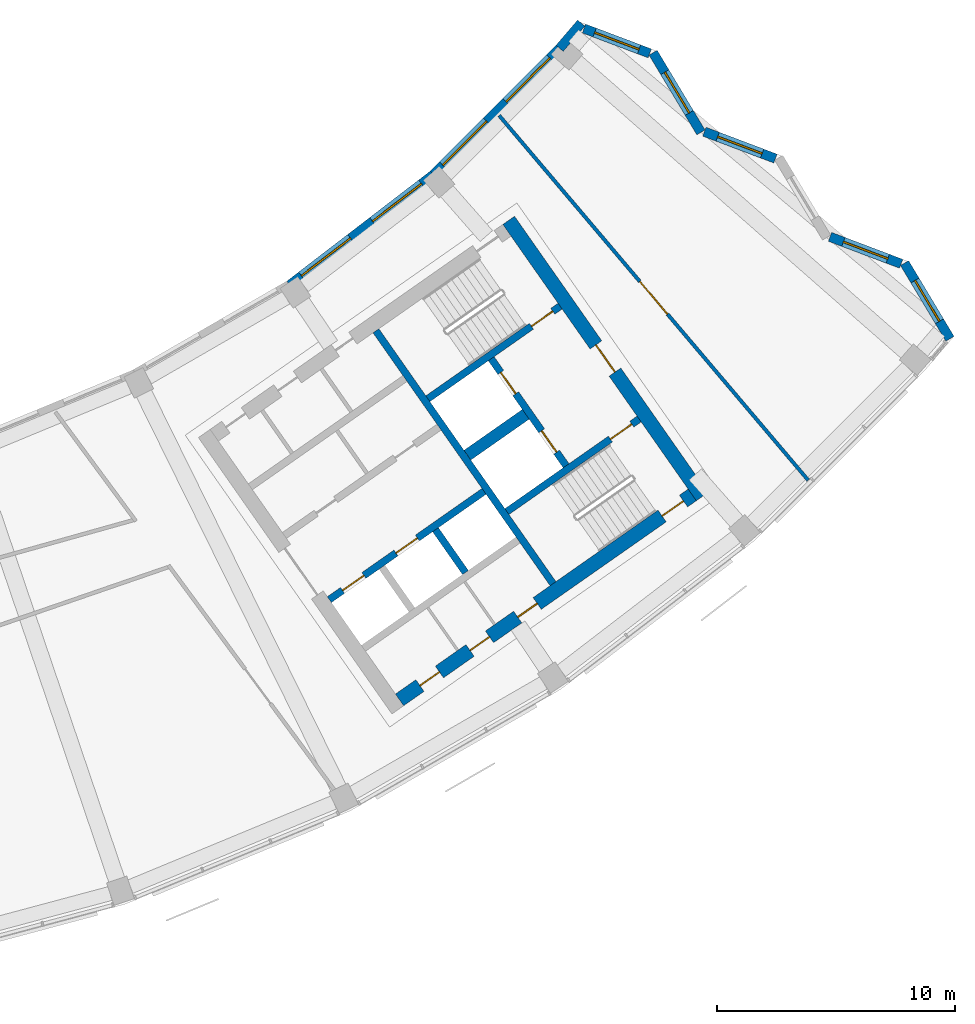
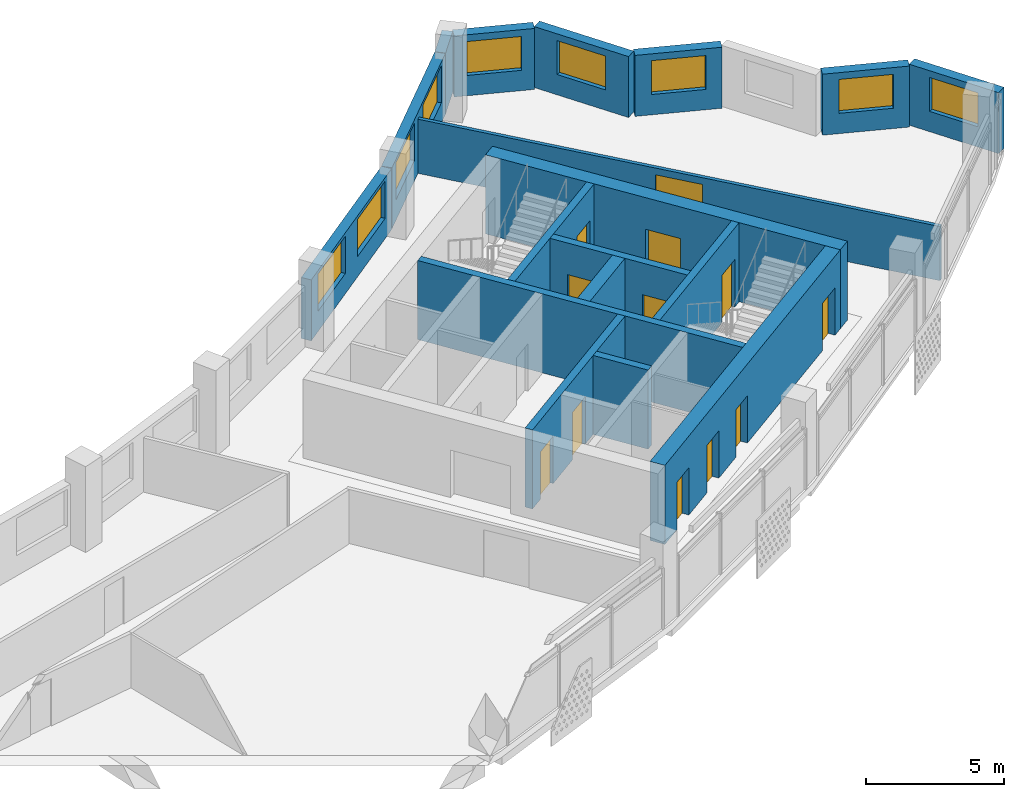
# One storey, part 7 of 29: 18 walls, 12 doors, 9 windows, 21 openings.
"""IFC4 building model written with IfcOpenShell, lengths in metres."""

from ifc_helpers import new_model, si_unit, direction, frame, frame_2d, origin, place, context, subcontext, project, spatial, rectangle, extrude, material, layer, layer_set, type_object, element, fill, save


model = new_model("IFC4")

# Units and contexts
model_context = context("Model", 3, precision=1e-05, world=origin(), true_north=direction((0.0, 1.0)))
body_context = subcontext(model_context, "Body", "Model", "MODEL_VIEW")
ifc_project = project(units=[si_unit("LENGTHUNIT", "METRE"), si_unit("AREAUNIT", "SQUARE_METRE"), si_unit("VOLUMEUNIT", "CUBIC_METRE"), si_unit("PLANEANGLEUNIT", "RADIAN"), si_unit("MASSUNIT", "GRAM", prefix="KILO")], contexts=[model_context])

# Site, building, storey
site_placement = place(None, origin())
site = spatial("IfcSite", under=ifc_project, at=site_placement, CompositionType="ELEMENT")
building_placement = place(site_placement, origin())
building = spatial("IfcBuilding", under=site, at=building_placement, Name="Qamariyya Broadcast Tower", CompositionType="ELEMENT")
storey_placement = place(building_placement, frame((0.0, 0.0, 261.89990234375)))
storey = spatial("IfcBuildingStorey", under=building, at=storey_placement, Name="L63", CompositionType="ELEMENT", Elevation=261.89990234375)

# Wall, opening, door
ifc_material_1 = material(Name="Concrete C60/75", Category="concrete")
ifc_layer_1 = layer(ifc_material_1, 0.60009765625)
ifc_layer_set_1 = layer_set([ifc_layer_1], Name="Core wall 600 mm Concrete C60/75")
wall_type_1 = type_object("IfcWallType", Name="Core wall 600 mm Concrete C60/75", PredefinedType="SHEAR", material=ifc_layer_set_1)
wall_1_placement = place(storey_placement, frame((49.4833984375, -57.031494140625, 0.0), z_axis=(0.0, 0.0, 1.0), x_axis=(-0.573560421458, 0.819163257805, 0.0)))
wall_1 = element("IfcWall", 1, at=wall_1_placement, inside=storey, type_object=wall_type_1, Name="k-E-L63-WH", PredefinedType="SHEAR", context=body_context, shape_type="SweptSolid", body=[
    extrude(rectangle(XDim=14.199951171875, YDim=0.60009765625, at=frame_2d((7.10009765625, 0.0))), origin(), (0.0, 0.0, 1.0), 3.5),
])
opening_1_placement = place(wall_1_placement, frame((6.39990234375, 0.0, 0.0)))
opening_1 = element("IfcOpeningElement", 2, at=opening_1_placement, cuts=wall_1, Name="Opening KD2-E1", PredefinedType="OPENING", context=body_context, shape_type="SweptSolid", body=[
    extrude(rectangle(XDim=1.39990234375, YDim=2.10009765625, at=frame_2d((0.699951171875, 1.050048828125))), frame((0.0, 0.31005859375, 0.0), z_axis=(0.0, -1.0, 0.0), x_axis=(1.0, 0.0, 0.0)), (0.0, 0.0, 1.0), 0.6201171875),
])
ifc_material_2 = material(Name="Steel fire-resisting door leaf", Category="steel")
door_type_1 = type_object("IfcDoorType", Name="Fire-fighting lobby door KD2", OperationType="DOUBLE_DOOR_SINGLE_SWING", PredefinedType="DOOR", material=ifc_material_2)
door_1_placement = place(opening_1_placement, origin())
door_1 = element("IfcDoor", 3, at=door_1_placement, inside=storey, type_object=door_type_1, Name="k-E-L63-WH-D14", OperationType="DOUBLE_DOOR_SINGLE_SWING", OverallHeight=2.10009765625, OverallWidth=1.39990234375, PredefinedType="DOOR", context=body_context, shape_type="SweptSolid", body=[
    extrude(rectangle(XDim=1.39990234375, YDim=2.10009765625, at=frame_2d((0.699951171875, 1.050048828125))), frame((0.0, 0.02490234375, 0.0), z_axis=(0.0, -1.0, 0.0), x_axis=(1.0, 0.0, 0.0)), (0.0, 0.0, 1.0), 0.050048828125),
])
fill(opening_1, door_1)

# Wall, openings, doors
wall_2_placement = place(storey_placement, frame((36.7412109375, -65.58740234375, 0.0), z_axis=(0.0, 0.0, 1.0), x_axis=(0.819153391756, 0.573574511963, 0.0)))
wall_2 = element("IfcWall", 4, at=wall_2_placement, inside=storey, type_object=wall_type_1, Name="k-E-L63-WO", PredefinedType="SHEAR", context=body_context, shape_type="SweptSolid", body=[
    extrude(rectangle(XDim=15.04541015625, YDim=0.60009765625, at=frame_2d((7.522705078125, 0.0))), origin(), (0.0, 0.0, 1.0), 3.5),
])
opening_2_placement = place(wall_2_placement, frame((1.050048828125, 0.0, 0.0)))
opening_2 = element("IfcOpeningElement", 5, at=opening_2_placement, cuts=wall_2, Name="Opening KD4-E1", PredefinedType="OPENING", context=body_context, shape_type="SweptSolid", body=[
    extrude(rectangle(XDim=1.0, YDim=2.10009765625, at=frame_2d((0.5, 1.050048828125))), frame((0.0, 0.31005859375, 0.0), z_axis=(0.0, -1.0, 0.0), x_axis=(1.0, 0.0, 0.0)), (0.0, 0.0, 1.0), 0.6201171875),
])
opening_3_placement = place(wall_2_placement, frame((3.625, 0.0, 0.0)))
opening_3 = element("IfcOpeningElement", 6, at=opening_3_placement, cuts=wall_2, Name="Opening KD4-E2", PredefinedType="OPENING", context=body_context, shape_type="SweptSolid", body=[
    extrude(rectangle(XDim=1.0, YDim=2.10009765625, at=frame_2d((0.5, 1.050048828125))), frame((0.0, 0.31005859375, 0.0), z_axis=(0.0, -1.0, 0.0), x_axis=(1.0, 0.0, 0.0)), (0.0, 0.0, 1.0), 0.6201171875),
])
opening_4_placement = place(wall_2_placement, frame((6.074951171875, 0.0, 0.0)))
opening_4 = element("IfcOpeningElement", 7, at=opening_4_placement, cuts=wall_2, Name="Opening KD6-E4", PredefinedType="OPENING", context=body_context, shape_type="SweptSolid", body=[
    extrude(rectangle(XDim=1.0, YDim=2.10009765625, at=frame_2d((0.5, 1.050048828125))), frame((0.0, 0.31005859375, 0.0), z_axis=(0.0, -1.0, 0.0), x_axis=(1.0, 0.0, 0.0)), (0.0, 0.0, 1.0), 0.6201171875),
])
opening_5_placement = place(wall_2_placement, frame((13.495361328125, 0.0, 0.0)))
opening_5 = element("IfcOpeningElement", 8, at=opening_5_placement, cuts=wall_2, Name="Opening KD1-E3", PredefinedType="OPENING", context=body_context, shape_type="SweptSolid", body=[
    extrude(rectangle(XDim=1.10009765625, YDim=2.10009765625, at=frame_2d((0.550048828125, 1.050048828125))), frame((0.0, 0.31005859375, 0.0), z_axis=(0.0, -1.0, 0.0), x_axis=(1.0, 0.0, 0.0)), (0.0, 0.0, 1.0), 0.6201171875),
])
door_type_2 = type_object("IfcDoorType", Name="Core room door KD6", OperationType="SINGLE_SWING_LEFT", PredefinedType="DOOR", material=ifc_material_2)
door_2_placement = place(opening_4_placement, origin())
door_2 = element("IfcDoor", 9, at=door_2_placement, inside=storey, type_object=door_type_2, Name="k-E-L63-WO-D11", OperationType="SINGLE_SWING_LEFT", OverallHeight=2.10009765625, OverallWidth=1.0, PredefinedType="DOOR", context=body_context, shape_type="SweptSolid", body=[
    extrude(rectangle(XDim=1.0, YDim=2.10009765625, at=frame_2d((0.5, 1.050048828125))), frame((0.0, 0.02490234375, 0.0), z_axis=(0.0, -1.0, 0.0), x_axis=(1.0, 0.0, 0.0)), (0.0, 0.0, 1.0), 0.050048828125),
])
fill(opening_4, door_2)
door_type_3 = type_object("IfcDoorType", Name="Riser and plant door KD4", OperationType="SINGLE_SWING_LEFT", PredefinedType="DOOR", material=ifc_material_2)
door_3_placement = place(opening_2_placement, origin())
door_3 = element("IfcDoor", 10, at=door_3_placement, inside=storey, type_object=door_type_3, Name="k-E-L63-WO-D9", OperationType="SINGLE_SWING_LEFT", OverallHeight=2.10009765625, OverallWidth=1.0, PredefinedType="DOOR", context=body_context, shape_type="SweptSolid", body=[
    extrude(rectangle(XDim=1.0, YDim=2.10009765625, at=frame_2d((0.5, 1.050048828125))), frame((0.0, 0.02490234375, 0.0), z_axis=(0.0, -1.0, 0.0), x_axis=(1.0, 0.0, 0.0)), (0.0, 0.0, 1.0), 0.050048828125),
])
fill(opening_2, door_3)
door_4_placement = place(opening_3_placement, origin())
door_4 = element("IfcDoor", 11, at=door_4_placement, inside=storey, type_object=door_type_3, Name="k-E-L63-WO-D10", OperationType="SINGLE_SWING_RIGHT", OverallHeight=2.10009765625, OverallWidth=1.0, PredefinedType="DOOR", context=body_context, shape_type="SweptSolid", body=[
    extrude(rectangle(XDim=1.0, YDim=2.10009765625, at=frame_2d((0.5, 1.050048828125))), frame((0.0, 0.02490234375, 0.0), z_axis=(0.0, -1.0, 0.0), x_axis=(1.0, 0.0, 0.0)), (0.0, 0.0, 1.0), 0.050048828125),
])
fill(opening_3, door_4)
door_type_4 = type_object("IfcDoorType", Name="Stair door KD1", OperationType="SINGLE_SWING_LEFT", PredefinedType="DOOR", material=ifc_material_2)
door_5_placement = place(opening_5_placement, origin())
door_5 = element("IfcDoor", 12, at=door_5_placement, inside=storey, type_object=door_type_4, Name="k-E-L63-WO-D17", OperationType="SINGLE_SWING_LEFT", OverallHeight=2.10009765625, OverallWidth=1.10009765625, PredefinedType="DOOR", context=body_context, shape_type="SweptSolid", body=[
    extrude(rectangle(XDim=1.10009765625, YDim=2.10009765625, at=frame_2d((0.550048828125, 1.050048828125))), frame((0.0, 0.02490234375, 0.0), z_axis=(0.0, -1.0, 0.0), x_axis=(1.0, 0.0, 0.0)), (0.0, 0.0, 1.0), 0.050048828125),
])
fill(opening_5, door_5)

# Wall, opening, door
ifc_material_3 = material(Name="Gypsum board partition")
ifc_layer_2 = layer(ifc_material_3, 0.14990234375)
ifc_layer_set_2 = layer_set([ifc_layer_2], Name="Corridor partition 150 EI 60")
wall_type_2 = type_object("IfcWallType", Name="Corridor partition 150 EI 60", PredefinedType="PARTITIONING", material=ifc_layer_set_2)
wall_3_placement = place(storey_placement, frame((40.93603515625, -40.982666015625, 0.0), z_axis=(0.0, 0.0, 1.0), x_axis=(0.646426079671, -0.76297662056, 0.0)))
wall_3 = element("IfcWall", 13, at=wall_3_placement, inside=storey, type_object=wall_type_2, Name="Partition L63-028", PredefinedType="PARTITIONING", context=body_context, shape_type="SweptSolid", body=[
    extrude(rectangle(XDim=20.1259765625, YDim=0.14990234375, at=frame_2d((10.06298828125, 0.0))), origin(), (0.0, 0.0, 1.0), 2.400146484375),
])
opening_6_placement = place(wall_3_placement, frame((9.1630859375, 0.0, 0.0)))
opening_6 = element("IfcOpeningElement", 14, at=opening_6_placement, cuts=wall_3, Name="Opening L63-D13", PredefinedType="OPENING", context=body_context, shape_type="SweptSolid", body=[
    extrude(rectangle(XDim=1.800048828125, YDim=2.10009765625, at=frame_2d((0.89990234375, 1.050048828125))), frame((0.0, 0.0849609375, 0.0), z_axis=(0.0, -1.0, 0.0), x_axis=(1.0, 0.0, 0.0)), (0.0, 0.0, 1.0), 0.169921875),
])
ifc_material_4 = material(Name="Timber fire door leaf", Category="wood")
door_type_5 = type_object("IfcDoorType", Name="Double fire door 1800 x 2100 FD60", OperationType="NOTDEFINED", PredefinedType="DOOR", material=ifc_material_4)
door_6_placement = place(opening_6_placement, origin())
door_6 = element("IfcDoor", 15, at=door_6_placement, inside=storey, type_object=door_type_5, Name="Door L63-D13", OperationType="DOUBLE_DOOR_SINGLE_SWING", OverallHeight=2.10009765625, OverallWidth=1.800048828125, PredefinedType="DOOR", context=body_context, shape_type="SweptSolid", body=[
    extrude(rectangle(XDim=1.800048828125, YDim=2.10009765625, at=frame_2d((0.89990234375, 1.050048828125))), frame((0.0, 0.02490234375, 0.0), z_axis=(0.0, -1.0, 0.0), x_axis=(1.0, 0.0, 0.0)), (0.0, 0.0, 1.0), 0.050048828125),
])
fill(opening_6, door_6)

# Walls
ifc_layer_3 = layer(ifc_material_1, 0.5)
ifc_layer_set_3 = layer_set([ifc_layer_3], Name="Fire-fighting lobby divider wall 500 mm Concrete C60/75")
wall_type_3 = type_object("IfcWallType", Name="Fire-fighting lobby divider wall 500 mm Concrete C60/75", PredefinedType="SOLIDWALL", material=ifc_layer_set_3)
wall_4_placement = place(storey_placement, frame((39.59912109375, -55.28515625, 0.0), z_axis=(0.0, 0.0, 1.0), x_axis=(0.819136323161, 0.573598887793, 0.0)))
element("IfcWall", 16, at=wall_4_placement, inside=storey, type_object=wall_type_3, Name="k-E-L63-FD", PredefinedType="SOLIDWALL", context=body_context, shape_type="SweptSolid", body=[
    extrude(rectangle(XDim=2.999755859375, YDim=0.5, at=frame_2d((1.5, 0.0))), origin(), (0.0, 0.0, 1.0), 3.5),
])
ifc_layer_4 = layer(ifc_material_1, 0.300048828125)
ifc_layer_set_4 = layer_set([ifc_layer_4], Name="Lift shaft wall 300 mm Concrete C60/75")
wall_type_4 = type_object("IfcWallType", Name="Lift shaft wall 300 mm Concrete C60/75", PredefinedType="SOLIDWALL", material=ifc_layer_set_4)
wall_5_placement = place(storey_placement, frame((43.204345703125, -60.69580078125, 0.0), z_axis=(0.0, 0.0, 1.0), x_axis=(-0.573571992966, 0.819155155563, 0.0)))
element("IfcWall", 17, at=wall_5_placement, inside=storey, type_object=wall_type_4, Name="k-E-L63-WL", PredefinedType="SOLIDWALL", context=body_context, shape_type="SweptSolid", body=[
    extrude(rectangle(XDim=13.000244140625, YDim=0.300048828125, at=frame_2d((6.5, 0.0))), origin(), (0.0, 0.0, 1.0), 3.5),
])

# Wall, openings, doors
wall_6_placement = place(storey_placement, frame((33.787353515625, -61.368896484375, 0.0), z_axis=(0.0, 0.0, 1.0), x_axis=(0.819152564888, 0.573575692858, 0.0)))
wall_6 = element("IfcWall", 18, at=wall_6_placement, inside=storey, type_object=wall_type_4, Name="k-E-L63-SF0", PredefinedType="SOLIDWALL", context=body_context, shape_type="SweptSolid", body=[
    extrude(rectangle(XDim=7.9501953125, YDim=0.300048828125, at=frame_2d((3.97509765625, 0.0))), origin(), (0.0, 0.0, 1.0), 3.5),
])
opening_7_placement = place(wall_6_placement, frame((0.675048828125, 0.0, 0.0)))
opening_7 = element("IfcOpeningElement", 19, at=opening_7_placement, cuts=wall_6, Name="Opening LD", PredefinedType="OPENING", context=body_context, shape_type="SweptSolid", body=[
    extrude(rectangle(XDim=1.10009765625, YDim=2.10009765625, at=frame_2d((0.550048828125, 1.050048828125))), frame((0.0, 0.159912109375, 0.0), z_axis=(0.0, -1.0, 0.0), x_axis=(1.0, 0.0, 0.0)), (0.0, 0.0, 1.0), 0.320068359375),
])
opening_8_placement = place(wall_6_placement, frame((3.425048828125, 0.0, 0.0)))
opening_8 = element("IfcOpeningElement", 20, at=opening_8_placement, cuts=wall_6, Name="Opening LD", PredefinedType="OPENING", context=body_context, shape_type="SweptSolid", body=[
    extrude(rectangle(XDim=1.10009765625, YDim=2.10009765625, at=frame_2d((0.550048828125, 1.050048828125))), frame((0.0, 0.159912109375, 0.0), z_axis=(0.0, -1.0, 0.0), x_axis=(1.0, 0.0, 0.0)), (0.0, 0.0, 1.0), 0.320068359375),
])
door_type_6 = type_object("IfcDoorType", Name="Lift landing door LD", OperationType="DOUBLE_DOOR_SLIDING", PredefinedType="DOOR", material=ifc_material_2)
door_7_placement = place(opening_7_placement, origin())
door_7 = element("IfcDoor", 21, at=door_7_placement, inside=storey, type_object=door_type_6, Name="k-E-L63-SF0-D4", OperationType="DOUBLE_DOOR_SLIDING", OverallHeight=2.10009765625, OverallWidth=1.10009765625, PredefinedType="DOOR", context=body_context, shape_type="SweptSolid", body=[
    extrude(rectangle(XDim=1.10009765625, YDim=2.10009765625, at=frame_2d((0.550048828125, 1.050048828125))), frame((0.0, 0.02490234375, 0.0), z_axis=(0.0, -1.0, 0.0), x_axis=(1.0, 0.0, 0.0)), (0.0, 0.0, 1.0), 0.050048828125),
])
fill(opening_7, door_7)
door_8_placement = place(opening_8_placement, origin())
door_8 = element("IfcDoor", 22, at=door_8_placement, inside=storey, type_object=door_type_6, Name="k-E-L63-SF0-D5", OperationType="DOUBLE_DOOR_SLIDING", OverallHeight=2.10009765625, OverallWidth=1.10009765625, PredefinedType="DOOR", context=body_context, shape_type="SweptSolid", body=[
    extrude(rectangle(XDim=1.10009765625, YDim=2.10009765625, at=frame_2d((0.550048828125, 1.050048828125))), frame((0.0, 0.02490234375, 0.0), z_axis=(0.0, -1.0, 0.0), x_axis=(1.0, 0.0, 0.0)), (0.0, 0.0, 1.0), 0.050048828125),
])
fill(opening_8, door_8)

# Wall
wall_7_placement = place(storey_placement, frame((38.255859375, -58.423095703125, 0.0), z_axis=(0.0, 0.0, 1.0), x_axis=(0.573633636671, -0.819111989218, 0.0)))
element("IfcWall", 23, at=wall_7_placement, inside=storey, type_object=wall_type_4, Name="k-E-L63-SD1", PredefinedType="SOLIDWALL", context=body_context, shape_type="SweptSolid", body=[
    extrude(rectangle(XDim=2.199951171875, YDim=0.300048828125, at=frame_2d((1.10009765625, 0.0))), origin(), (0.0, 0.0, 1.0), 3.5),
])

# Wall, opening, door
wall_8_placement = place(storey_placement, frame((37.935546875, -52.90966796875, 0.0), z_axis=(0.0, 0.0, 1.0), x_axis=(0.819147518138, 0.57358290031, 0.0)))
wall_8 = element("IfcWall", 24, at=wall_8_placement, inside=storey, type_object=wall_type_4, Name="k-E-L63-NW", PredefinedType="SOLIDWALL", context=body_context, shape_type="SweptSolid", body=[
    extrude(rectangle(XDim=6.79541015625, YDim=0.300048828125, at=frame_2d((3.397705078125, 0.0))), origin(), (0.0, 0.0, 1.0), 3.5),
])
opening_9_placement = place(wall_8_placement, frame((5.3203125, 0.0, 0.0)))
opening_9 = element("IfcOpeningElement", 25, at=opening_9_placement, cuts=wall_8, Name="Opening KD1-E2", PredefinedType="OPENING", context=body_context, shape_type="SweptSolid", body=[
    extrude(rectangle(XDim=1.10009765625, YDim=2.10009765625, at=frame_2d((0.550048828125, 1.050048828125))), frame((0.0, 0.159912109375, 0.0), z_axis=(0.0, -1.0, 0.0), x_axis=(1.0, 0.0, 0.0)), (0.0, 0.0, 1.0), 0.320068359375),
])
door_9_placement = place(opening_9_placement, origin())
door_9 = element("IfcDoor", 26, at=door_9_placement, inside=storey, type_object=door_type_4, Name="k-E-L63-NW-D16", OperationType="SINGLE_SWING_RIGHT", OverallHeight=2.10009765625, OverallWidth=1.10009765625, PredefinedType="DOOR", context=body_context, shape_type="SweptSolid", body=[
    extrude(rectangle(XDim=1.10009765625, YDim=2.10009765625, at=frame_2d((0.550048828125, 1.050048828125))), frame((0.0, 0.02490234375, 0.0), z_axis=(0.0, -1.0, 0.0), x_axis=(1.0, 0.0, 0.0)), (0.0, 0.0, 1.0), 0.050048828125),
])
fill(opening_9, door_9)

wall_9_placement = place(storey_placement, frame((41.262451171875, -57.66064453125, 0.0), z_axis=(0.0, 0.0, 1.0), x_axis=(0.819164398642, 0.573558792102, 0.0)))
wall_9 = element("IfcWall", 27, at=wall_9_placement, inside=storey, type_object=wall_type_4, Name="k-E-L63-SW", PredefinedType="SOLIDWALL", context=body_context, shape_type="SweptSolid", body=[
    extrude(rectangle(XDim=6.795166015625, YDim=0.300048828125, at=frame_2d((3.3974609375, 0.0))), origin(), (0.0, 0.0, 1.0), 3.5),
])
opening_10_placement = place(wall_9_placement, frame((5.3203125, 0.0, 0.0)))
opening_10 = element("IfcOpeningElement", 28, at=opening_10_placement, cuts=wall_9, Name="Opening KD1-E4", PredefinedType="OPENING", context=body_context, shape_type="SweptSolid", body=[
    extrude(rectangle(XDim=1.10009765625, YDim=2.10009765625, at=frame_2d((0.550048828125, 1.050048828125))), frame((0.0, 0.159912109375, 0.0), z_axis=(0.0, -1.0, 0.0), x_axis=(1.0, 0.0, 0.0)), (0.0, 0.0, 1.0), 0.320068359375),
])
door_10_placement = place(opening_10_placement, origin())
door_10 = element("IfcDoor", 29, at=door_10_placement, inside=storey, type_object=door_type_4, Name="k-E-L63-SW-D18", OperationType="SINGLE_SWING_RIGHT", OverallHeight=2.10009765625, OverallWidth=1.10009765625, PredefinedType="DOOR", context=body_context, shape_type="SweptSolid", body=[
    extrude(rectangle(XDim=1.10009765625, YDim=2.10009765625, at=frame_2d((0.550048828125, 1.050048828125))), frame((0.0, 0.02490234375, 0.0), z_axis=(0.0, -1.0, 0.0), x_axis=(1.0, 0.0, 0.0)), (0.0, 0.0, 1.0), 0.050048828125),
])
fill(opening_10, door_10)

# Wall, openings, doors
wall_10_placement = place(storey_placement, frame((43.756591796875, -55.731201171875, 0.0), z_axis=(0.0, 0.0, 1.0), x_axis=(-0.573536818435, 0.819179783625, 0.0)))
wall_10 = element("IfcWall", 30, at=wall_10_placement, inside=storey, type_object=wall_type_4, Name="k-E-L63-FF", PredefinedType="SOLIDWALL", context=body_context, shape_type="SweptSolid", body=[
    extrude(rectangle(XDim=5.500244140625, YDim=0.300048828125, at=frame_2d((2.75, 0.0))), origin(), (0.0, 0.0, 1.0), 3.5),
])
opening_11_placement = place(wall_10_placement, frame((0.699951171875, 0.0, 0.0)))
opening_11 = element("IfcOpeningElement", 31, at=opening_11_placement, cuts=wall_10, Name="Opening LD", PredefinedType="OPENING", context=body_context, shape_type="SweptSolid", body=[
    extrude(rectangle(XDim=1.10009765625, YDim=2.10009765625, at=frame_2d((0.550048828125, 1.050048828125))), frame((0.0, 0.159912109375, 0.0), z_axis=(0.0, -1.0, 0.0), x_axis=(1.0, 0.0, 0.0)), (0.0, 0.0, 1.0), 0.320068359375),
])
opening_12_placement = place(wall_10_placement, frame((3.699951171875, 0.0, 0.0)))
opening_12 = element("IfcOpeningElement", 32, at=opening_12_placement, cuts=wall_10, Name="Opening LD", PredefinedType="OPENING", context=body_context, shape_type="SweptSolid", body=[
    extrude(rectangle(XDim=1.10009765625, YDim=2.10009765625, at=frame_2d((0.550048828125, 1.050048828125))), frame((0.0, 0.159912109375, 0.0), z_axis=(0.0, -1.0, 0.0), x_axis=(1.0, 0.0, 0.0)), (0.0, 0.0, 1.0), 0.320068359375),
])
door_11_placement = place(opening_11_placement, origin())
door_11 = element("IfcDoor", 33, at=door_11_placement, inside=storey, type_object=door_type_6, Name="k-E-L63-FF-D12", OperationType="DOUBLE_DOOR_SLIDING", OverallHeight=2.10009765625, OverallWidth=1.10009765625, PredefinedType="DOOR", context=body_context, shape_type="SweptSolid", body=[
    extrude(rectangle(XDim=1.10009765625, YDim=2.10009765625, at=frame_2d((0.550048828125, 1.050048828125))), frame((0.0, 0.02490234375, 0.0), z_axis=(0.0, -1.0, 0.0), x_axis=(1.0, 0.0, 0.0)), (0.0, 0.0, 1.0), 0.050048828125),
])
fill(opening_11, door_11)
door_12_placement = place(opening_12_placement, origin())
door_12 = element("IfcDoor", 34, at=door_12_placement, inside=storey, type_object=door_type_6, Name="k-E-L63-FF-D13", OperationType="DOUBLE_DOOR_SLIDING", OverallHeight=2.10009765625, OverallWidth=1.10009765625, PredefinedType="DOOR", context=body_context, shape_type="SweptSolid", body=[
    extrude(rectangle(XDim=1.10009765625, YDim=2.10009765625, at=frame_2d((0.550048828125, 1.050048828125))), frame((0.0, 0.02490234375, 0.0), z_axis=(0.0, -1.0, 0.0), x_axis=(1.0, 0.0, 0.0)), (0.0, 0.0, 1.0), 0.050048828125),
])
fill(opening_12, door_12)

# Wall, opening, window
ifc_material_5 = material(Name="Terracotta", Category="masonry")
ifc_layer_5 = layer(ifc_material_5, 0.39990234375)
ifc_layer_set_5 = layer_set([ifc_layer_5], Name="Terracotta clad wall 400")
wall_type_5 = type_object("IfcWallType", Name="Terracotta clad wall 400", PredefinedType="SOLIDWALL", material=ifc_layer_set_5)
wall_11_placement = place(storey_placement, frame((59.9150390625, -50.38525390625, 0.0), z_axis=(0.0, 0.0, 1.0), x_axis=(-0.514215618337, 0.857660945746, 0.0)))
wall_11 = element("IfcWall", 35, at=wall_11_placement, inside=storey, type_object=wall_type_5, Name="e-wl-L63-capE0", PredefinedType="SOLIDWALL", context=body_context, shape_type="SweptSolid", body=[
    extrude(rectangle(XDim=3.717041015625, YDim=0.39990234375, at=frame_2d((1.8583984375, 0.0))), origin(), (0.0, 0.0, 1.0), 2.7001953125),
])
opening_13_placement = place(wall_11_placement, frame((0.858642578125, 0.0, 0.89990234375)))
opening_13 = element("IfcOpeningElement", 36, at=opening_13_placement, cuts=wall_11, Name="Opening W4", PredefinedType="OPENING", context=body_context, shape_type="SweptSolid", body=[
    extrude(rectangle(XDim=2.0, YDim=1.5, at=frame_2d((1.0, 0.75))), frame((0.0, 0.2099609375, 0.0), z_axis=(0.0, -1.0, 0.0), x_axis=(1.0, 0.0, 0.0)), (0.0, 0.0, 1.0), 0.419921875),
])
ifc_material_6 = material(Name="Clear low-e double glazed unit in aluminium frame", Category="aluminium")
window_type_1 = type_object("IfcWindowType", Name="Horn bay window 2000 x 1500", PartitioningType="SINGLE_PANEL", PredefinedType="WINDOW", material=ifc_material_6)
window_1_placement = place(opening_13_placement, origin())
window_1 = element("IfcWindow", 37, at=window_1_placement, inside=storey, type_object=window_type_1, Name="e-w-L63-capE0", OverallHeight=1.5, OverallWidth=2.0, PartitioningType="SINGLE_PANEL", PredefinedType="WINDOW", context=body_context, shape_type="SweptSolid", body=[
    extrude(rectangle(XDim=2.0, YDim=1.5, at=frame_2d((1.0, 0.75))), frame((0.0, 0.030029296875, 0.0), z_axis=(0.0, -1.0, 0.0), x_axis=(1.0, 0.0, 0.0)), (0.0, 0.0, 1.0), 0.06005859375),
])
fill(opening_13, window_1)

wall_12_placement = place(storey_placement, frame((57.8603515625, -47.22607421875, 0.0), z_axis=(0.0, 0.0, 1.0), x_axis=(-0.93545471818, 0.353446559234, 0.0)))
wall_12 = element("IfcWall", 38, at=wall_12_placement, inside=storey, type_object=wall_type_5, Name="e-wl-L63-capE1", PredefinedType="SOLIDWALL", context=body_context, shape_type="SweptSolid", body=[
    extrude(rectangle(XDim=3.2001953125, YDim=0.39990234375, at=frame_2d((1.60009765625, 0.0))), origin(), (0.0, 0.0, 1.0), 2.7001953125),
])
opening_14_placement = place(wall_12_placement, frame((0.60009765625, 0.0, 0.89990234375)))
opening_14 = element("IfcOpeningElement", 39, at=opening_14_placement, cuts=wall_12, Name="Opening W4", PredefinedType="OPENING", context=body_context, shape_type="SweptSolid", body=[
    extrude(rectangle(XDim=2.0, YDim=1.5, at=frame_2d((1.0, 0.75))), frame((0.0, 0.2099609375, 0.0), z_axis=(0.0, -1.0, 0.0), x_axis=(1.0, 0.0, 0.0)), (0.0, 0.0, 1.0), 0.419921875),
])
window_2_placement = place(opening_14_placement, origin())
window_2 = element("IfcWindow", 40, at=window_2_placement, inside=storey, type_object=window_type_1, Name="e-w-L63-capE1", OverallHeight=1.5, OverallWidth=2.0, PartitioningType="SINGLE_PANEL", PredefinedType="WINDOW", context=body_context, shape_type="SweptSolid", body=[
    extrude(rectangle(XDim=2.0, YDim=1.5, at=frame_2d((1.0, 0.75))), frame((0.0, 0.030029296875, 0.0), z_axis=(0.0, -1.0, 0.0), x_axis=(1.0, 0.0, 0.0)), (0.0, 0.0, 1.0), 0.06005859375),
])
fill(opening_14, window_2)

wall_13_placement = place(storey_placement, frame((52.56787109375, -42.797119140625, 0.0), z_axis=(0.0, 0.0, 1.0), x_axis=(-0.935517501315, 0.353280348637, 0.0)))
wall_13 = element("IfcWall", 41, at=wall_13_placement, inside=storey, type_object=wall_type_5, Name="e-wl-L63-capE3", PredefinedType="SOLIDWALL", context=body_context, shape_type="SweptSolid", body=[
    extrude(rectangle(XDim=3.198974609375, YDim=0.39990234375, at=frame_2d((1.599609375, 0.0))), origin(), (0.0, 0.0, 1.0), 2.7001953125),
])
opening_15_placement = place(wall_13_placement, frame((0.599609375, 0.0, 0.89990234375)))
opening_15 = element("IfcOpeningElement", 42, at=opening_15_placement, cuts=wall_13, Name="Opening W4", PredefinedType="OPENING", context=body_context, shape_type="SweptSolid", body=[
    extrude(rectangle(XDim=2.0, YDim=1.5, at=frame_2d((1.0, 0.75))), frame((0.0, 0.2099609375, 0.0), z_axis=(0.0, -1.0, 0.0), x_axis=(1.0, 0.0, 0.0)), (0.0, 0.0, 1.0), 0.419921875),
])
window_3_placement = place(opening_15_placement, origin())
window_3 = element("IfcWindow", 43, at=window_3_placement, inside=storey, type_object=window_type_1, Name="e-w-L63-capE3", OverallHeight=1.5, OverallWidth=2.0, PartitioningType="SINGLE_PANEL", PredefinedType="WINDOW", context=body_context, shape_type="SweptSolid", body=[
    extrude(rectangle(XDim=2.0, YDim=1.5, at=frame_2d((1.0, 0.75))), frame((0.0, 0.030029296875, 0.0), z_axis=(0.0, -1.0, 0.0), x_axis=(1.0, 0.0, 0.0)), (0.0, 0.0, 1.0), 0.06005859375),
])
fill(opening_15, window_3)

wall_14_placement = place(storey_placement, frame((49.43212890625, -41.69580078125, 0.0), z_axis=(0.0, 0.0, 1.0), x_axis=(-0.514413196841, 0.857542455459, 0.0)))
wall_14 = element("IfcWall", 44, at=wall_14_placement, inside=storey, type_object=wall_type_5, Name="e-wl-L63-capE4", PredefinedType="SOLIDWALL", context=body_context, shape_type="SweptSolid", body=[
    extrude(rectangle(XDim=3.9140625, YDim=0.39990234375, at=frame_2d((1.95703125, 0.0))), origin(), (0.0, 0.0, 1.0), 2.7001953125),
])
opening_16_placement = place(wall_14_placement, frame((0.95703125, 0.0, 0.89990234375)))
opening_16 = element("IfcOpeningElement", 45, at=opening_16_placement, cuts=wall_14, Name="Opening W4", PredefinedType="OPENING", context=body_context, shape_type="SweptSolid", body=[
    extrude(rectangle(XDim=2.0, YDim=1.5, at=frame_2d((1.0, 0.75))), frame((0.0, 0.2099609375, 0.0), z_axis=(0.0, -1.0, 0.0), x_axis=(1.0, 0.0, 0.0)), (0.0, 0.0, 1.0), 0.419921875),
])
window_4_placement = place(opening_16_placement, origin())
window_4 = element("IfcWindow", 46, at=window_4_placement, inside=storey, type_object=window_type_1, Name="e-w-L63-capE4", OverallHeight=1.5, OverallWidth=2.0, PartitioningType="SINGLE_PANEL", PredefinedType="WINDOW", context=body_context, shape_type="SweptSolid", body=[
    extrude(rectangle(XDim=2.0, YDim=1.5, at=frame_2d((1.0, 0.75))), frame((0.0, 0.030029296875, 0.0), z_axis=(0.0, -1.0, 0.0), x_axis=(1.0, 0.0, 0.0)), (0.0, 0.0, 1.0), 0.06005859375),
])
fill(opening_16, window_4)

wall_15_placement = place(storey_placement, frame((47.275390625, -38.368408203125, 0.0), z_axis=(0.0, 0.0, 1.0), x_axis=(-0.935516333458, 0.353283441209, 0.0)))
wall_15 = element("IfcWall", 47, at=wall_15_placement, inside=storey, type_object=wall_type_5, Name="e-wl-L63-capE5", PredefinedType="SOLIDWALL", context=body_context, shape_type="SweptSolid", body=[
    extrude(rectangle(XDim=2.959228515625, YDim=0.39990234375, at=frame_2d((1.4794921875, 0.0))), origin(), (0.0, 0.0, 1.0), 2.7001953125),
])
opening_17_placement = place(wall_15_placement, frame((0.4794921875, 0.0, 0.89990234375)))
opening_17 = element("IfcOpeningElement", 48, at=opening_17_placement, cuts=wall_15, Name="Opening W4", PredefinedType="OPENING", context=body_context, shape_type="SweptSolid", body=[
    extrude(rectangle(XDim=2.0, YDim=1.5, at=frame_2d((1.0, 0.75))), frame((0.0, 0.2099609375, 0.0), z_axis=(0.0, -1.0, 0.0), x_axis=(1.0, 0.0, 0.0)), (0.0, 0.0, 1.0), 0.419921875),
])
window_5_placement = place(opening_17_placement, origin())
window_5 = element("IfcWindow", 49, at=window_5_placement, inside=storey, type_object=window_type_1, Name="e-w-L63-capE5", OverallHeight=1.5, OverallWidth=2.0, PartitioningType="SINGLE_PANEL", PredefinedType="WINDOW", context=body_context, shape_type="SweptSolid", body=[
    extrude(rectangle(XDim=2.0, YDim=1.5, at=frame_2d((1.0, 0.75))), frame((0.0, 0.030029296875, 0.0), z_axis=(0.0, -1.0, 0.0), x_axis=(1.0, 0.0, 0.0)), (0.0, 0.0, 1.0), 0.06005859375),
])
fill(opening_17, window_5)

# Wall, openings, windows
wall_16_placement = place(storey_placement, frame((38.163330078125, -43.47900390625, 0.0), z_axis=(0.0, 0.0, 1.0), x_axis=(-0.793347844099, -0.608768591719, 0.0)))
wall_16 = element("IfcWall", 50, at=wall_16_placement, inside=storey, type_object=wall_type_5, Name="e-wl-L63-in120", PredefinedType="SOLIDWALL", context=body_context, shape_type="SweptSolid", body=[
    extrude(rectangle(XDim=7.617431640625, YDim=0.39990234375, at=frame_2d((3.80859375, 0.0))), origin(), (0.0, 0.0, 1.0), 2.7001953125),
])
opening_18_placement = place(wall_16_placement, frame((4.393798828125, 0.0, 0.89990234375)))
opening_18 = element("IfcOpeningElement", 51, at=opening_18_placement, cuts=wall_16, Name="Opening W1", PredefinedType="OPENING", context=body_context, shape_type="SweptSolid", body=[
    extrude(rectangle(XDim=2.60009765625, YDim=1.64990234375, at=frame_2d((1.300048828125, 0.824951171875))), frame((0.0, 0.2099609375, 0.0), z_axis=(0.0, -1.0, 0.0), x_axis=(1.0, 0.0, 0.0)), (0.0, 0.0, 1.0), 0.419921875),
])
opening_19_placement = place(wall_16_placement, frame((0.623291015625, 0.0, 0.89990234375)))
opening_19 = element("IfcOpeningElement", 52, at=opening_19_placement, cuts=wall_16, Name="Opening W1", PredefinedType="OPENING", context=body_context, shape_type="SweptSolid", body=[
    extrude(rectangle(XDim=2.60009765625, YDim=1.64990234375, at=frame_2d((1.300048828125, 0.824951171875))), frame((0.0, 0.2099609375, 0.0), z_axis=(0.0, -1.0, 0.0), x_axis=(1.0, 0.0, 0.0)), (0.0, 0.0, 1.0), 0.419921875),
])
window_type_2 = type_object("IfcWindowType", Name="Ribbon window 2600 x 1650", PartitioningType="SINGLE_PANEL", PredefinedType="WINDOW", material=ifc_material_6)
window_6_placement = place(opening_18_placement, origin())
window_6 = element("IfcWindow", 53, at=window_6_placement, inside=storey, type_object=window_type_2, Name="e-w-L63-in12-0", OverallHeight=1.64990234375, OverallWidth=2.60009765625, PartitioningType="SINGLE_PANEL", PredefinedType="WINDOW", context=body_context, shape_type="SweptSolid", body=[
    extrude(rectangle(XDim=2.60009765625, YDim=1.64990234375, at=frame_2d((1.300048828125, 0.824951171875))), frame((0.0, 0.030029296875, 0.0), z_axis=(0.0, -1.0, 0.0), x_axis=(1.0, 0.0, 0.0)), (0.0, 0.0, 1.0), 0.06005859375),
])
fill(opening_18, window_6)
window_7_placement = place(opening_19_placement, origin())
window_7 = element("IfcWindow", 54, at=window_7_placement, inside=storey, type_object=window_type_2, Name="e-w-L63-in12-1", OverallHeight=1.64990234375, OverallWidth=2.60009765625, PartitioningType="SINGLE_PANEL", PredefinedType="WINDOW", context=body_context, shape_type="SweptSolid", body=[
    extrude(rectangle(XDim=2.60009765625, YDim=1.64990234375, at=frame_2d((1.300048828125, 0.824951171875))), frame((0.0, 0.030029296875, 0.0), z_axis=(0.0, -1.0, 0.0), x_axis=(1.0, 0.0, 0.0)), (0.0, 0.0, 1.0), 0.06005859375),
])
fill(opening_19, window_7)

wall_17_placement = place(storey_placement, frame((43.468994140625, -38.168701171875, 0.0), z_axis=(0.0, 0.0, 1.0), x_axis=(-0.707106781187, -0.707106781187, 0.0)))
wall_17 = element("IfcWall", 55, at=wall_17_placement, inside=storey, type_object=wall_type_5, Name="e-wl-L63-in130", PredefinedType="SOLIDWALL", context=body_context, shape_type="SweptSolid", body=[
    extrude(rectangle(XDim=7.48095703125, YDim=0.39990234375, at=frame_2d((3.740478515625, 0.0))), origin(), (0.0, 0.0, 1.0), 2.7001953125),
])
opening_20_placement = place(wall_17_placement, frame((4.333251953125, 0.0, 0.89990234375)))
opening_20 = element("IfcOpeningElement", 56, at=opening_20_placement, cuts=wall_17, Name="Opening W1", PredefinedType="OPENING", context=body_context, shape_type="SweptSolid", body=[
    extrude(rectangle(XDim=2.60009765625, YDim=1.64990234375, at=frame_2d((1.300048828125, 0.824951171875))), frame((0.0, 0.2099609375, 0.0), z_axis=(0.0, -1.0, 0.0), x_axis=(1.0, 0.0, 0.0)), (0.0, 0.0, 1.0), 0.419921875),
])
opening_21_placement = place(wall_17_placement, frame((0.562744140625, 0.0, 0.89990234375)))
opening_21 = element("IfcOpeningElement", 57, at=opening_21_placement, cuts=wall_17, Name="Opening W1", PredefinedType="OPENING", context=body_context, shape_type="SweptSolid", body=[
    extrude(rectangle(XDim=2.60009765625, YDim=1.64990234375, at=frame_2d((1.300048828125, 0.824951171875))), frame((0.0, 0.2099609375, 0.0), z_axis=(0.0, -1.0, 0.0), x_axis=(1.0, 0.0, 0.0)), (0.0, 0.0, 1.0), 0.419921875),
])
window_8_placement = place(opening_20_placement, origin())
window_8 = element("IfcWindow", 58, at=window_8_placement, inside=storey, type_object=window_type_2, Name="e-w-L63-in13-0", OverallHeight=1.64990234375, OverallWidth=2.60009765625, PartitioningType="SINGLE_PANEL", PredefinedType="WINDOW", context=body_context, shape_type="SweptSolid", body=[
    extrude(rectangle(XDim=2.60009765625, YDim=1.64990234375, at=frame_2d((1.300048828125, 0.824951171875))), frame((0.0, 0.030029296875, 0.0), z_axis=(0.0, -1.0, 0.0), x_axis=(1.0, 0.0, 0.0)), (0.0, 0.0, 1.0), 0.06005859375),
])
fill(opening_20, window_8)
window_9_placement = place(opening_21_placement, origin())
window_9 = element("IfcWindow", 59, at=window_9_placement, inside=storey, type_object=window_type_2, Name="e-w-L63-in13-1", OverallHeight=1.64990234375, OverallWidth=2.60009765625, PartitioningType="SINGLE_PANEL", PredefinedType="WINDOW", context=body_context, shape_type="SweptSolid", body=[
    extrude(rectangle(XDim=2.60009765625, YDim=1.64990234375, at=frame_2d((1.300048828125, 0.824951171875))), frame((0.0, 0.030029296875, 0.0), z_axis=(0.0, -1.0, 0.0), x_axis=(1.0, 0.0, 0.0)), (0.0, 0.0, 1.0), 0.06005859375),
])
fill(opening_21, window_9)

# Wall
wall_18_placement = place(storey_placement, frame((44.392822265625, -37.093994140625, 0.0), z_axis=(0.0, 0.0, 1.0), x_axis=(-0.650590576435, -0.759428668049, 0.0)))
element("IfcWall", 60, at=wall_18_placement, inside=storey, type_object=wall_type_5, Name="e-wl-L63-in140", PredefinedType="SOLIDWALL", context=body_context, shape_type="SweptSolid", body=[
    extrude(rectangle(XDim=1.40185546875, YDim=0.39990234375, at=frame_2d((0.700927734375, 0.0))), origin(), (0.0, 0.0, 1.0), 2.7001953125),
])

save(model, "model.ifc")
